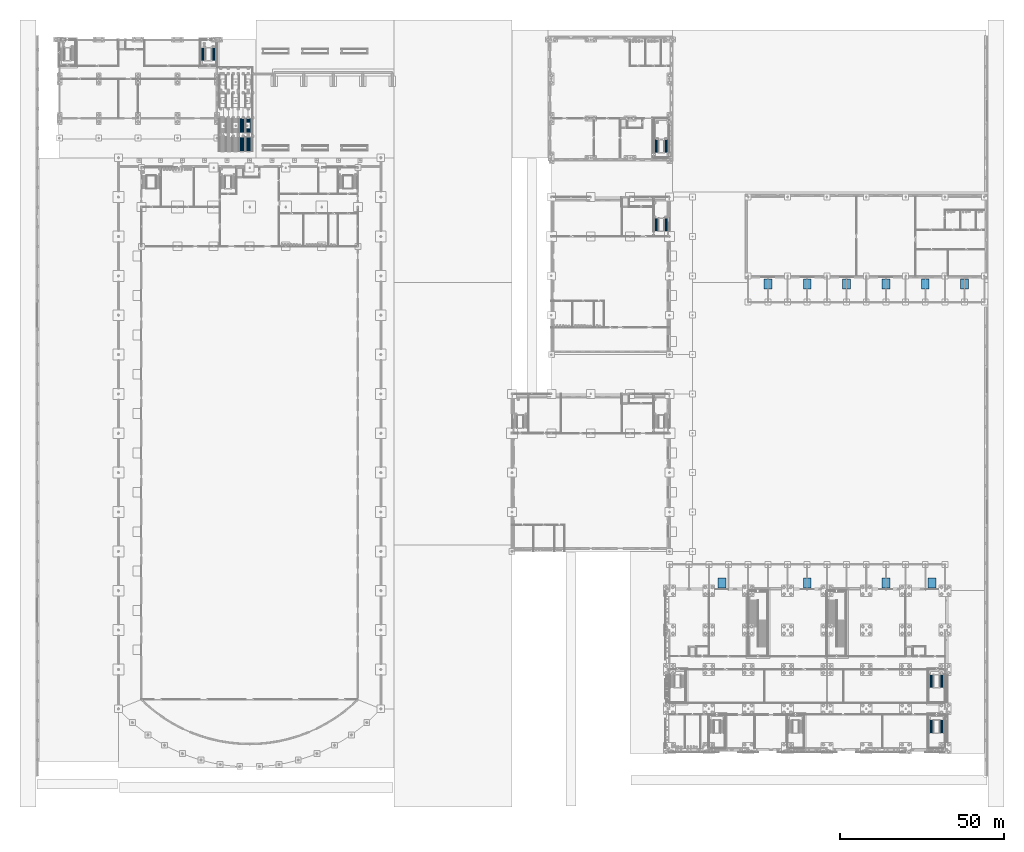
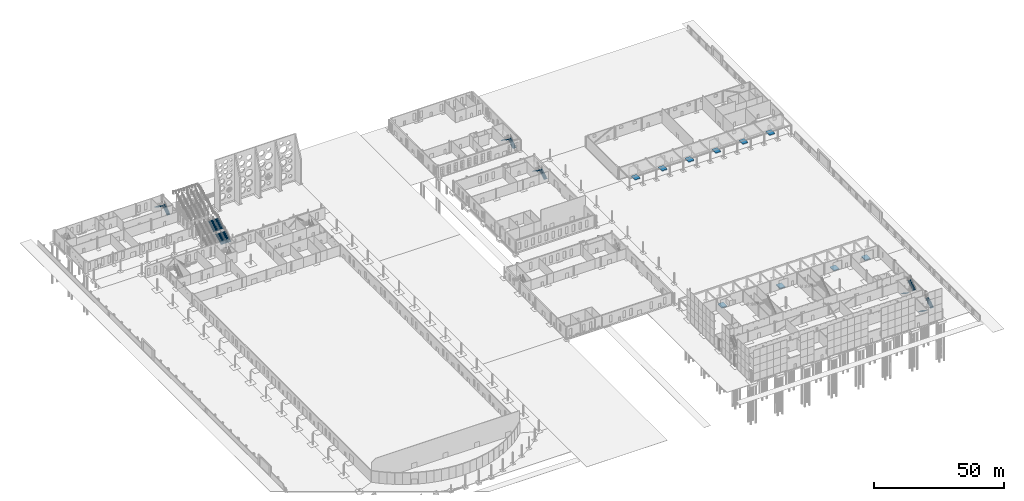
# One storey, part 96 of 132: 16 stair flights, 10 discrete accessories, 8 elements without a shape of their own.
"""IFC4 building model written with IfcOpenShell, lengths in metres."""

from ifc_helpers import new_model, si_unit, direction, frame, origin, origin_2d, place, context, subcontext, project, spatial, polyline, rectangle, outline, extrude, material, type_object, element, aggregate, save


model = new_model("IFC4")

# Units and contexts
model_context = context("Model", 3, precision=1e-05, world=origin(), true_north=direction((0.0, 1.0)))
body_context = subcontext(model_context, "Body", "Model", "MODEL_VIEW")
ifc_project = project(units=[si_unit("LENGTHUNIT", "METRE"), si_unit("AREAUNIT", "SQUARE_METRE"), si_unit("VOLUMEUNIT", "CUBIC_METRE"), si_unit("PLANEANGLEUNIT", "RADIAN"), si_unit("MASSUNIT", "GRAM", prefix="KILO")], contexts=[model_context])

# Site, building, storey
site_placement = place(None, origin())
site = spatial("IfcSite", under=ifc_project, at=site_placement, CompositionType="ELEMENT")
building_placement = place(site_placement, origin())
building = spatial("IfcBuilding", under=site, at=building_placement, Name="Ravi Spectrum Wholesale Market", CompositionType="ELEMENT")
storey_placement = place(building_placement, origin())
storey = spatial("IfcBuildingStorey", under=building, at=storey_placement, Name="L00", CompositionType="ELEMENT", Elevation=0.0)

# Stair, stair flights
ifc_material_1 = material(Name="Concrete C35/45", Category="concrete")
stair_type = type_object("IfcStairType", Name="Stair", PredefinedType="NOTDEFINED", material=ifc_material_1)
stair_1_placement = place(storey_placement, origin())
stair_1 = element("IfcStair", 1, at=stair_1_placement, inside=storey, type_object=stair_type, Name="GW-ST-L00-005", PredefinedType="NOTDEFINED")
ifc_material_2 = material(Name="Concrete C35/45", Category="concrete")
stair_flight_type = type_object("IfcStairFlightType", Name="Stair flight", PredefinedType="STRAIGHT", material=ifc_material_2)
stair_flight_1_placement = place(storey_placement, frame((67.2724609375, 200.0, 0.0), z_axis=(0.0, 0.0, 1.0), x_axis=(0.0, 1.0, 0.0)))
stair_flight_1 = element("IfcStairFlight", 2, at=stair_flight_1_placement, type_object=stair_flight_type, Name="ST-GW5 flight 1", NumberOfRisers=16, NumberOfTreads=15, PredefinedType="STRAIGHT", RiserHeight=0.16875, TreadLength=0.28, context=body_context, shape_type="SweptSolid", body=[
    extrude(outline(polyline([(0.0, 0.0), (0.0, 0.168701171875), (0.280029296875, 0.168701171875), (0.280029296875, 0.33740234375), (0.56005859375, 0.33740234375), (0.56005859375, 0.50634765625), (0.840087890625, 0.50634765625), (0.840087890625, 0.675048828125), (1.1201171875, 0.675048828125), (1.1201171875, 0.84375), (1.39990234375, 0.84375), (1.39990234375, 1.012451171875), (1.679931640625, 1.012451171875), (1.679931640625, 1.18115234375), (1.9599609375, 1.18115234375), (1.9599609375, 1.35009765625), (2.239990234375, 1.35009765625), (2.239990234375, 1.518798828125), (2.52001953125, 1.518798828125), (2.52001953125, 1.6875), (2.800048828125, 1.6875), (2.800048828125, 1.856201171875), (3.080078125, 1.856201171875), (3.080078125, 2.02490234375), (3.360107421875, 2.02490234375), (3.360107421875, 2.19384765625), (3.639892578125, 2.19384765625), (3.639892578125, 2.362548828125), (3.919921875, 2.362548828125), (3.919921875, 2.53125), (4.199951171875, 2.53125), (4.199951171875, 2.699951171875), (4.199951171875, 2.356201171875), (0.29052734375, 0.0), (0.0, 0.0)])), frame((0.0, 0.75244140625, 0.0), z_axis=(0.0, -1.0, 0.0), x_axis=(1.0, 0.0, 0.0)), (0.0, 0.0, 1.0), 1.5048828125),
])
stair_flight_2_placement = place(storey_placement, frame((67.2724609375, 205.699951171875, 2.699951171875), z_axis=(0.0, 0.0, 1.0), x_axis=(0.0, 1.0, 0.0)))
stair_flight_2 = element("IfcStairFlight", 3, at=stair_flight_2_placement, type_object=stair_flight_type, Name="ST-GW5 flight 2", NumberOfRisers=16, NumberOfTreads=15, PredefinedType="STRAIGHT", RiserHeight=0.16875, TreadLength=0.28, context=body_context, shape_type="SweptSolid", body=[
    extrude(outline(polyline([(0.0, 0.0), (0.0, 0.168701171875), (0.280029296875, 0.168701171875), (0.280029296875, 0.33740234375), (0.56005859375, 0.33740234375), (0.56005859375, 0.50634765625), (0.840087890625, 0.50634765625), (0.840087890625, 0.675048828125), (1.1201171875, 0.675048828125), (1.1201171875, 0.84375), (1.39990234375, 0.84375), (1.39990234375, 1.012451171875), (1.679931640625, 1.012451171875), (1.679931640625, 1.18115234375), (1.9599609375, 1.18115234375), (1.9599609375, 1.35009765625), (2.239990234375, 1.35009765625), (2.239990234375, 1.518798828125), (2.52001953125, 1.518798828125), (2.52001953125, 1.6875), (2.800048828125, 1.6875), (2.800048828125, 1.856201171875), (3.080078125, 1.856201171875), (3.080078125, 2.02490234375), (3.360107421875, 2.02490234375), (3.360107421875, 2.19384765625), (3.639892578125, 2.19384765625), (3.639892578125, 2.362548828125), (3.919921875, 2.362548828125), (3.919921875, 2.53125), (4.199951171875, 2.53125), (4.199951171875, 2.699951171875), (4.199951171875, 2.356201171875), (0.29052734375, 0.0), (0.0, 0.0)])), frame((0.0, 0.75244140625, 0.0), z_axis=(0.0, -1.0, 0.0), x_axis=(1.0, 0.0, 0.0)), (0.0, 0.0, 1.0), 1.5048828125),
])
aggregate(stair_1, [stair_flight_1, stair_flight_2])

stair_2_placement = place(storey_placement, origin())
stair_2 = element("IfcStair", 4, at=stair_2_placement, inside=storey, type_object=stair_type, Name="GW-ST-L00-006", PredefinedType="NOTDEFINED")
stair_flight_3_placement = place(storey_placement, frame((68.777587890625, 200.0, 0.0), z_axis=(0.0, 0.0, 1.0), x_axis=(0.0, 1.0, 0.0)))
stair_flight_3 = element("IfcStairFlight", 5, at=stair_flight_3_placement, type_object=stair_flight_type, Name="ST-GW6 flight 1", NumberOfRisers=16, NumberOfTreads=15, PredefinedType="STRAIGHT", RiserHeight=0.16875, TreadLength=0.28, context=body_context, shape_type="SweptSolid", body=[
    extrude(outline(polyline([(0.0, 0.0), (0.0, 0.168701171875), (0.280029296875, 0.168701171875), (0.280029296875, 0.33740234375), (0.56005859375, 0.33740234375), (0.56005859375, 0.50634765625), (0.840087890625, 0.50634765625), (0.840087890625, 0.675048828125), (1.1201171875, 0.675048828125), (1.1201171875, 0.84375), (1.39990234375, 0.84375), (1.39990234375, 1.012451171875), (1.679931640625, 1.012451171875), (1.679931640625, 1.18115234375), (1.9599609375, 1.18115234375), (1.9599609375, 1.35009765625), (2.239990234375, 1.35009765625), (2.239990234375, 1.518798828125), (2.52001953125, 1.518798828125), (2.52001953125, 1.6875), (2.800048828125, 1.6875), (2.800048828125, 1.856201171875), (3.080078125, 1.856201171875), (3.080078125, 2.02490234375), (3.360107421875, 2.02490234375), (3.360107421875, 2.19384765625), (3.639892578125, 2.19384765625), (3.639892578125, 2.362548828125), (3.919921875, 2.362548828125), (3.919921875, 2.53125), (4.199951171875, 2.53125), (4.199951171875, 2.699951171875), (4.199951171875, 2.356201171875), (0.29052734375, 0.0), (0.0, 0.0)])), frame((0.0, 0.75244140625, 0.0), z_axis=(0.0, -1.0, 0.0), x_axis=(1.0, 0.0, 0.0)), (0.0, 0.0, 1.0), 1.5048828125),
])
stair_flight_4_placement = place(storey_placement, frame((68.777587890625, 205.699951171875, 2.699951171875), z_axis=(0.0, 0.0, 1.0), x_axis=(0.0, 1.0, 0.0)))
stair_flight_4 = element("IfcStairFlight", 6, at=stair_flight_4_placement, type_object=stair_flight_type, Name="ST-GW6 flight 2", NumberOfRisers=16, NumberOfTreads=15, PredefinedType="STRAIGHT", RiserHeight=0.16875, TreadLength=0.28, context=body_context, shape_type="SweptSolid", body=[
    extrude(outline(polyline([(0.0, 0.0), (0.0, 0.168701171875), (0.280029296875, 0.168701171875), (0.280029296875, 0.33740234375), (0.56005859375, 0.33740234375), (0.56005859375, 0.50634765625), (0.840087890625, 0.50634765625), (0.840087890625, 0.675048828125), (1.1201171875, 0.675048828125), (1.1201171875, 0.84375), (1.39990234375, 0.84375), (1.39990234375, 1.012451171875), (1.679931640625, 1.012451171875), (1.679931640625, 1.18115234375), (1.9599609375, 1.18115234375), (1.9599609375, 1.35009765625), (2.239990234375, 1.35009765625), (2.239990234375, 1.518798828125), (2.52001953125, 1.518798828125), (2.52001953125, 1.6875), (2.800048828125, 1.6875), (2.800048828125, 1.856201171875), (3.080078125, 1.856201171875), (3.080078125, 2.02490234375), (3.360107421875, 2.02490234375), (3.360107421875, 2.19384765625), (3.639892578125, 2.19384765625), (3.639892578125, 2.362548828125), (3.919921875, 2.362548828125), (3.919921875, 2.53125), (4.199951171875, 2.53125), (4.199951171875, 2.699951171875), (4.199951171875, 2.356201171875), (0.29052734375, 0.0), (0.0, 0.0)])), frame((0.0, 0.75244140625, 0.0), z_axis=(0.0, -1.0, 0.0), x_axis=(1.0, 0.0, 0.0)), (0.0, 0.0, 1.0), 1.5048828125),
])
aggregate(stair_2, [stair_flight_3, stair_flight_4])

stair_3_placement = place(storey_placement, origin())
stair_3 = element("IfcStair", 7, at=stair_3_placement, inside=storey, type_object=stair_type, Name="GW-ST-L00-007", PredefinedType="NOTDEFINED")
stair_flight_5_placement = place(storey_placement, frame((70.282470703125, 200.0, 0.0), z_axis=(0.0, 0.0, 1.0), x_axis=(0.0, 1.0, 0.0)))
stair_flight_5 = element("IfcStairFlight", 8, at=stair_flight_5_placement, type_object=stair_flight_type, Name="ST-GW7 flight 1", NumberOfRisers=16, NumberOfTreads=15, PredefinedType="STRAIGHT", RiserHeight=0.16875, TreadLength=0.28, context=body_context, shape_type="SweptSolid", body=[
    extrude(outline(polyline([(0.0, 0.0), (0.0, 0.168701171875), (0.280029296875, 0.168701171875), (0.280029296875, 0.33740234375), (0.56005859375, 0.33740234375), (0.56005859375, 0.50634765625), (0.840087890625, 0.50634765625), (0.840087890625, 0.675048828125), (1.1201171875, 0.675048828125), (1.1201171875, 0.84375), (1.39990234375, 0.84375), (1.39990234375, 1.012451171875), (1.679931640625, 1.012451171875), (1.679931640625, 1.18115234375), (1.9599609375, 1.18115234375), (1.9599609375, 1.35009765625), (2.239990234375, 1.35009765625), (2.239990234375, 1.518798828125), (2.52001953125, 1.518798828125), (2.52001953125, 1.6875), (2.800048828125, 1.6875), (2.800048828125, 1.856201171875), (3.080078125, 1.856201171875), (3.080078125, 2.02490234375), (3.360107421875, 2.02490234375), (3.360107421875, 2.19384765625), (3.639892578125, 2.19384765625), (3.639892578125, 2.362548828125), (3.919921875, 2.362548828125), (3.919921875, 2.53125), (4.199951171875, 2.53125), (4.199951171875, 2.699951171875), (4.199951171875, 2.356201171875), (0.29052734375, 0.0), (0.0, 0.0)])), frame((0.0, 0.75244140625, 0.0), z_axis=(0.0, -1.0, 0.0), x_axis=(1.0, 0.0, 0.0)), (0.0, 0.0, 1.0), 1.5048828125),
])
stair_flight_6_placement = place(storey_placement, frame((70.282470703125, 205.699951171875, 2.699951171875), z_axis=(0.0, 0.0, 1.0), x_axis=(0.0, 1.0, 0.0)))
stair_flight_6 = element("IfcStairFlight", 9, at=stair_flight_6_placement, type_object=stair_flight_type, Name="ST-GW7 flight 2", NumberOfRisers=16, NumberOfTreads=15, PredefinedType="STRAIGHT", RiserHeight=0.16875, TreadLength=0.28, context=body_context, shape_type="SweptSolid", body=[
    extrude(outline(polyline([(0.0, 0.0), (0.0, 0.168701171875), (0.280029296875, 0.168701171875), (0.280029296875, 0.33740234375), (0.56005859375, 0.33740234375), (0.56005859375, 0.50634765625), (0.840087890625, 0.50634765625), (0.840087890625, 0.675048828125), (1.1201171875, 0.675048828125), (1.1201171875, 0.84375), (1.39990234375, 0.84375), (1.39990234375, 1.012451171875), (1.679931640625, 1.012451171875), (1.679931640625, 1.18115234375), (1.9599609375, 1.18115234375), (1.9599609375, 1.35009765625), (2.239990234375, 1.35009765625), (2.239990234375, 1.518798828125), (2.52001953125, 1.518798828125), (2.52001953125, 1.6875), (2.800048828125, 1.6875), (2.800048828125, 1.856201171875), (3.080078125, 1.856201171875), (3.080078125, 2.02490234375), (3.360107421875, 2.02490234375), (3.360107421875, 2.19384765625), (3.639892578125, 2.19384765625), (3.639892578125, 2.362548828125), (3.919921875, 2.362548828125), (3.919921875, 2.53125), (4.199951171875, 2.53125), (4.199951171875, 2.699951171875), (4.199951171875, 2.356201171875), (0.29052734375, 0.0), (0.0, 0.0)])), frame((0.0, 0.75244140625, 0.0), z_axis=(0.0, -1.0, 0.0), x_axis=(1.0, 0.0, 0.0)), (0.0, 0.0, 1.0), 1.5048828125),
])
aggregate(stair_3, [stair_flight_5, stair_flight_6])

stair_4_placement = place(storey_placement, origin())
stair_4 = element("IfcStair", 10, at=stair_4_placement, inside=storey, type_object=stair_type, Name="L00 S-AU-1", PredefinedType="HALF_TURN_STAIR")
stair_flight_7_placement = place(storey_placement, frame((197.14990234375, 199.60009765625, 0.0), z_axis=(0.0, 0.0, 1.0), x_axis=(0.0, 1.0, 0.0)))
stair_flight_7 = element("IfcStairFlight", 11, at=stair_flight_7_placement, type_object=stair_flight_type, Name="S-AU-1 flight 1", NumberOfRisers=15, NumberOfTreads=14, PredefinedType="STRAIGHT", RiserHeight=0.18, TreadLength=0.28, context=body_context, shape_type="SweptSolid", body=[
    extrude(outline(polyline([(0.0, 0.0), (0.0, 0.179931640625), (0.280029296875, 0.179931640625), (0.280029296875, 0.360107421875), (0.56005859375, 0.360107421875), (0.56005859375, 0.5400390625), (0.840087890625, 0.5400390625), (0.840087890625, 0.719970703125), (1.1201171875, 0.719970703125), (1.1201171875, 0.89990234375), (1.39990234375, 0.89990234375), (1.39990234375, 1.080078125), (1.679931640625, 1.080078125), (1.679931640625, 1.260009765625), (1.9599609375, 1.260009765625), (1.9599609375, 1.43994140625), (2.239990234375, 1.43994140625), (2.239990234375, 1.6201171875), (2.52001953125, 1.6201171875), (2.52001953125, 1.800048828125), (2.800048828125, 1.800048828125), (2.800048828125, 1.97998046875), (3.080078125, 1.97998046875), (3.080078125, 2.159912109375), (3.360107421875, 2.159912109375), (3.360107421875, 2.340087890625), (3.639892578125, 2.340087890625), (3.639892578125, 2.52001953125), (3.919921875, 2.52001953125), (3.919921875, 2.699951171875), (3.919921875, 2.341796875), (0.277099609375, 0.0), (0.0, 0.0)])), frame((0.0, 0.75, 0.0), z_axis=(0.0, -1.0, 0.0), x_axis=(1.0, 0.0, 0.0)), (0.0, 0.0, 1.0), 1.5),
])
stair_flight_8_placement = place(storey_placement, frame((194.050048828125, 203.52001953125, 2.699951171875), z_axis=(0.0, 0.0, 1.0), x_axis=(0.0, -1.0, 0.0)))
stair_flight_8 = element("IfcStairFlight", 12, at=stair_flight_8_placement, type_object=stair_flight_type, Name="S-AU-1 flight 2", NumberOfRisers=15, NumberOfTreads=14, PredefinedType="STRAIGHT", RiserHeight=0.18, TreadLength=0.28, context=body_context, shape_type="SweptSolid", body=[
    extrude(outline(polyline([(0.0, 0.0), (0.0, 0.179931640625), (0.280029296875, 0.179931640625), (0.280029296875, 0.360107421875), (0.56005859375, 0.360107421875), (0.56005859375, 0.5400390625), (0.840087890625, 0.5400390625), (0.840087890625, 0.719970703125), (1.1201171875, 0.719970703125), (1.1201171875, 0.89990234375), (1.39990234375, 0.89990234375), (1.39990234375, 1.080078125), (1.679931640625, 1.080078125), (1.679931640625, 1.260009765625), (1.9599609375, 1.260009765625), (1.9599609375, 1.43994140625), (2.239990234375, 1.43994140625), (2.239990234375, 1.6201171875), (2.52001953125, 1.6201171875), (2.52001953125, 1.800048828125), (2.800048828125, 1.800048828125), (2.800048828125, 1.97998046875), (3.080078125, 1.97998046875), (3.080078125, 2.159912109375), (3.360107421875, 2.159912109375), (3.360107421875, 2.340087890625), (3.639892578125, 2.340087890625), (3.639892578125, 2.52001953125), (3.919921875, 2.52001953125), (3.919921875, 2.699951171875), (3.919921875, 2.341796875), (0.277099609375, 0.0), (0.0, 0.0)])), frame((0.0, 0.75, 0.0), z_axis=(0.0, -1.0, 0.0), x_axis=(1.0, 0.0, 0.0)), (0.0, 0.0, 1.0), 1.5),
])
aggregate(stair_4, [stair_flight_7, stair_flight_8])

stair_5_placement = place(storey_placement, origin())
stair_5 = element("IfcStair", 13, at=stair_5_placement, inside=storey, type_object=stair_type, Name="L00 S-H3-1", PredefinedType="HALF_TURN_STAIR")
stair_flight_9_placement = place(storey_placement, frame((197.14990234375, 175.60009765625, 0.0), z_axis=(0.0, 0.0, 1.0), x_axis=(0.0, 1.0, 0.0)))
stair_flight_9 = element("IfcStairFlight", 14, at=stair_flight_9_placement, type_object=stair_flight_type, Name="S-H3-1 flight 1", NumberOfRisers=15, NumberOfTreads=14, PredefinedType="STRAIGHT", RiserHeight=0.18, TreadLength=0.28, context=body_context, shape_type="SweptSolid", body=[
    extrude(outline(polyline([(0.0, 0.0), (0.0, 0.179931640625), (0.280029296875, 0.179931640625), (0.280029296875, 0.360107421875), (0.56005859375, 0.360107421875), (0.56005859375, 0.5400390625), (0.840087890625, 0.5400390625), (0.840087890625, 0.719970703125), (1.1201171875, 0.719970703125), (1.1201171875, 0.89990234375), (1.39990234375, 0.89990234375), (1.39990234375, 1.080078125), (1.679931640625, 1.080078125), (1.679931640625, 1.260009765625), (1.9599609375, 1.260009765625), (1.9599609375, 1.43994140625), (2.239990234375, 1.43994140625), (2.239990234375, 1.6201171875), (2.52001953125, 1.6201171875), (2.52001953125, 1.800048828125), (2.800048828125, 1.800048828125), (2.800048828125, 1.97998046875), (3.080078125, 1.97998046875), (3.080078125, 2.159912109375), (3.360107421875, 2.159912109375), (3.360107421875, 2.340087890625), (3.639892578125, 2.340087890625), (3.639892578125, 2.52001953125), (3.919921875, 2.52001953125), (3.919921875, 2.699951171875), (3.919921875, 2.341796875), (0.277099609375, 0.0), (0.0, 0.0)])), frame((0.0, 0.75, 0.0), z_axis=(0.0, -1.0, 0.0), x_axis=(1.0, 0.0, 0.0)), (0.0, 0.0, 1.0), 1.5),
])
stair_flight_10_placement = place(storey_placement, frame((194.050048828125, 179.52001953125, 2.699951171875), z_axis=(0.0, 0.0, 1.0), x_axis=(0.0, -1.0, 0.0)))
stair_flight_10 = element("IfcStairFlight", 15, at=stair_flight_10_placement, type_object=stair_flight_type, Name="S-H3-1 flight 2", NumberOfRisers=15, NumberOfTreads=14, PredefinedType="STRAIGHT", RiserHeight=0.18, TreadLength=0.28, context=body_context, shape_type="SweptSolid", body=[
    extrude(outline(polyline([(0.0, 0.0), (0.0, 0.179931640625), (0.280029296875, 0.179931640625), (0.280029296875, 0.360107421875), (0.56005859375, 0.360107421875), (0.56005859375, 0.5400390625), (0.840087890625, 0.5400390625), (0.840087890625, 0.719970703125), (1.1201171875, 0.719970703125), (1.1201171875, 0.89990234375), (1.39990234375, 0.89990234375), (1.39990234375, 1.080078125), (1.679931640625, 1.080078125), (1.679931640625, 1.260009765625), (1.9599609375, 1.260009765625), (1.9599609375, 1.43994140625), (2.239990234375, 1.43994140625), (2.239990234375, 1.6201171875), (2.52001953125, 1.6201171875), (2.52001953125, 1.800048828125), (2.800048828125, 1.800048828125), (2.800048828125, 1.97998046875), (3.080078125, 1.97998046875), (3.080078125, 2.159912109375), (3.360107421875, 2.159912109375), (3.360107421875, 2.340087890625), (3.639892578125, 2.340087890625), (3.639892578125, 2.52001953125), (3.919921875, 2.52001953125), (3.919921875, 2.699951171875), (3.919921875, 2.341796875), (0.277099609375, 0.0), (0.0, 0.0)])), frame((0.0, 0.75, 0.0), z_axis=(0.0, -1.0, 0.0), x_axis=(1.0, 0.0, 0.0)), (0.0, 0.0, 1.0), 1.5),
])
aggregate(stair_5, [stair_flight_9, stair_flight_10])

stair_6_placement = place(storey_placement, origin())
stair_6 = element("IfcStair", 16, at=stair_6_placement, inside=storey, type_object=stair_type, Name="L00 S-CS-2", PredefinedType="HALF_TURN_STAIR")
stair_flight_11_placement = place(storey_placement, frame((277.89990234375, 40.35009765625, 0.0), z_axis=(0.0, 0.0, 1.0), x_axis=(0.0, -1.0, 0.0)))
stair_flight_11 = element("IfcStairFlight", 17, at=stair_flight_11_placement, type_object=stair_flight_type, Name="S-CS-2 flight 1", NumberOfRisers=15, NumberOfTreads=14, PredefinedType="STRAIGHT", RiserHeight=0.18, TreadLength=0.28, context=body_context, shape_type="SweptSolid", body=[
    extrude(outline(polyline([(0.0, 0.0), (0.0, 0.179931640625), (0.280029296875, 0.179931640625), (0.280029296875, 0.360107421875), (0.56005859375, 0.360107421875), (0.56005859375, 0.5400390625), (0.840087890625, 0.5400390625), (0.840087890625, 0.719970703125), (1.1201171875, 0.719970703125), (1.1201171875, 0.89990234375), (1.39990234375, 0.89990234375), (1.39990234375, 1.080078125), (1.679931640625, 1.080078125), (1.679931640625, 1.260009765625), (1.9599609375, 1.260009765625), (1.9599609375, 1.43994140625), (2.239990234375, 1.43994140625), (2.239990234375, 1.6201171875), (2.52001953125, 1.6201171875), (2.52001953125, 1.800048828125), (2.800048828125, 1.800048828125), (2.800048828125, 1.97998046875), (3.080078125, 1.97998046875), (3.080078125, 2.159912109375), (3.360107421875, 2.159912109375), (3.360107421875, 2.340087890625), (3.639892578125, 2.340087890625), (3.639892578125, 2.52001953125), (3.919921875, 2.52001953125), (3.919921875, 2.699951171875), (3.919921875, 2.341796875), (0.277099609375, 0.0), (0.0, 0.0)])), frame((0.0, 0.75, 0.0), z_axis=(0.0, -1.0, 0.0), x_axis=(1.0, 0.0, 0.0)), (0.0, 0.0, 1.0), 1.5),
])
stair_flight_12_placement = place(storey_placement, frame((281.10009765625, 36.429931640625, 2.699951171875), z_axis=(0.0, 0.0, 1.0), x_axis=(0.0, 1.0, 0.0)))
stair_flight_12 = element("IfcStairFlight", 18, at=stair_flight_12_placement, type_object=stair_flight_type, Name="S-CS-2 flight 2", NumberOfRisers=15, NumberOfTreads=14, PredefinedType="STRAIGHT", RiserHeight=0.18, TreadLength=0.28, context=body_context, shape_type="SweptSolid", body=[
    extrude(outline(polyline([(0.0, 0.0), (0.0, 0.179931640625), (0.280029296875, 0.179931640625), (0.280029296875, 0.360107421875), (0.56005859375, 0.360107421875), (0.56005859375, 0.5400390625), (0.840087890625, 0.5400390625), (0.840087890625, 0.719970703125), (1.1201171875, 0.719970703125), (1.1201171875, 0.89990234375), (1.39990234375, 0.89990234375), (1.39990234375, 1.080078125), (1.679931640625, 1.080078125), (1.679931640625, 1.260009765625), (1.9599609375, 1.260009765625), (1.9599609375, 1.43994140625), (2.239990234375, 1.43994140625), (2.239990234375, 1.6201171875), (2.52001953125, 1.6201171875), (2.52001953125, 1.800048828125), (2.800048828125, 1.800048828125), (2.800048828125, 1.97998046875), (3.080078125, 1.97998046875), (3.080078125, 2.159912109375), (3.360107421875, 2.159912109375), (3.360107421875, 2.340087890625), (3.639892578125, 2.340087890625), (3.639892578125, 2.52001953125), (3.919921875, 2.52001953125), (3.919921875, 2.699951171875), (3.919921875, 2.341796875), (0.277099609375, 0.0), (0.0, 0.0)])), frame((0.0, 0.75, 0.0), z_axis=(0.0, -1.0, 0.0), x_axis=(1.0, 0.0, 0.0)), (0.0, 0.0, 1.0), 1.5),
])
aggregate(stair_6, [stair_flight_11, stair_flight_12])

stair_7_placement = place(storey_placement, origin())
stair_7 = element("IfcStair", 19, at=stair_7_placement, inside=storey, type_object=stair_type, Name="L00 S-CS-7", PredefinedType="HALF_TURN_STAIR")
stair_flight_13_placement = place(storey_placement, frame((277.89990234375, 26.550048828125, 0.0), z_axis=(0.0, 0.0, 1.0), x_axis=(0.0, -1.0, 0.0)))
stair_flight_13 = element("IfcStairFlight", 20, at=stair_flight_13_placement, type_object=stair_flight_type, Name="S-CS-7 flight 1", NumberOfRisers=15, NumberOfTreads=14, PredefinedType="STRAIGHT", RiserHeight=0.18, TreadLength=0.28, context=body_context, shape_type="SweptSolid", body=[
    extrude(outline(polyline([(0.0, 0.0), (0.0, 0.179931640625), (0.280029296875, 0.179931640625), (0.280029296875, 0.360107421875), (0.56005859375, 0.360107421875), (0.56005859375, 0.5400390625), (0.840087890625, 0.5400390625), (0.840087890625, 0.719970703125), (1.1201171875, 0.719970703125), (1.1201171875, 0.89990234375), (1.39990234375, 0.89990234375), (1.39990234375, 1.080078125), (1.679931640625, 1.080078125), (1.679931640625, 1.260009765625), (1.9599609375, 1.260009765625), (1.9599609375, 1.43994140625), (2.239990234375, 1.43994140625), (2.239990234375, 1.6201171875), (2.52001953125, 1.6201171875), (2.52001953125, 1.800048828125), (2.800048828125, 1.800048828125), (2.800048828125, 1.97998046875), (3.080078125, 1.97998046875), (3.080078125, 2.159912109375), (3.360107421875, 2.159912109375), (3.360107421875, 2.340087890625), (3.639892578125, 2.340087890625), (3.639892578125, 2.52001953125), (3.919921875, 2.52001953125), (3.919921875, 2.699951171875), (3.919921875, 2.341796875), (0.277099609375, 0.0), (0.0, 0.0)])), frame((0.0, 0.75, 0.0), z_axis=(0.0, -1.0, 0.0), x_axis=(1.0, 0.0, 0.0)), (0.0, 0.0, 1.0), 1.5),
])
stair_flight_14_placement = place(storey_placement, frame((281.10009765625, 22.6298828125, 2.699951171875), z_axis=(0.0, 0.0, 1.0), x_axis=(0.0, 1.0, 0.0)))
stair_flight_14 = element("IfcStairFlight", 21, at=stair_flight_14_placement, type_object=stair_flight_type, Name="S-CS-7 flight 2", NumberOfRisers=15, NumberOfTreads=14, PredefinedType="STRAIGHT", RiserHeight=0.18, TreadLength=0.28, context=body_context, shape_type="SweptSolid", body=[
    extrude(outline(polyline([(0.0, 0.0), (0.0, 0.179931640625), (0.280029296875, 0.179931640625), (0.280029296875, 0.360107421875), (0.56005859375, 0.360107421875), (0.56005859375, 0.5400390625), (0.840087890625, 0.5400390625), (0.840087890625, 0.719970703125), (1.1201171875, 0.719970703125), (1.1201171875, 0.89990234375), (1.39990234375, 0.89990234375), (1.39990234375, 1.080078125), (1.679931640625, 1.080078125), (1.679931640625, 1.260009765625), (1.9599609375, 1.260009765625), (1.9599609375, 1.43994140625), (2.239990234375, 1.43994140625), (2.239990234375, 1.6201171875), (2.52001953125, 1.6201171875), (2.52001953125, 1.800048828125), (2.800048828125, 1.800048828125), (2.800048828125, 1.97998046875), (3.080078125, 1.97998046875), (3.080078125, 2.159912109375), (3.360107421875, 2.159912109375), (3.360107421875, 2.340087890625), (3.639892578125, 2.340087890625), (3.639892578125, 2.52001953125), (3.919921875, 2.52001953125), (3.919921875, 2.699951171875), (3.919921875, 2.341796875), (0.277099609375, 0.0), (0.0, 0.0)])), frame((0.0, 0.75, 0.0), z_axis=(0.0, -1.0, 0.0), x_axis=(1.0, 0.0, 0.0)), (0.0, 0.0, 1.0), 1.5),
])
aggregate(stair_7, [stair_flight_13, stair_flight_14])

stair_8_placement = place(storey_placement, origin())
stair_8 = element("IfcStair", 22, at=stair_8_placement, inside=storey, type_object=stair_type, Name="L00 S-OF-2", PredefinedType="HALF_TURN_STAIR")
stair_flight_15_placement = place(storey_placement, frame((59.14990234375, 227.60009765625, 0.0), z_axis=(0.0, 0.0, 1.0), x_axis=(0.0, 1.0, 0.0)))
stair_flight_15 = element("IfcStairFlight", 23, at=stair_flight_15_placement, type_object=stair_flight_type, Name="S-OF-2 flight 1", NumberOfRisers=15, NumberOfTreads=14, PredefinedType="STRAIGHT", RiserHeight=0.18, TreadLength=0.28, context=body_context, shape_type="SweptSolid", body=[
    extrude(outline(polyline([(0.0, 0.0), (0.0, 0.179931640625), (0.280029296875, 0.179931640625), (0.280029296875, 0.360107421875), (0.56005859375, 0.360107421875), (0.56005859375, 0.5400390625), (0.840087890625, 0.5400390625), (0.840087890625, 0.719970703125), (1.1201171875, 0.719970703125), (1.1201171875, 0.89990234375), (1.39990234375, 0.89990234375), (1.39990234375, 1.080078125), (1.679931640625, 1.080078125), (1.679931640625, 1.260009765625), (1.9599609375, 1.260009765625), (1.9599609375, 1.43994140625), (2.239990234375, 1.43994140625), (2.239990234375, 1.6201171875), (2.52001953125, 1.6201171875), (2.52001953125, 1.800048828125), (2.800048828125, 1.800048828125), (2.800048828125, 1.97998046875), (3.080078125, 1.97998046875), (3.080078125, 2.159912109375), (3.360107421875, 2.159912109375), (3.360107421875, 2.340087890625), (3.639892578125, 2.340087890625), (3.639892578125, 2.52001953125), (3.919921875, 2.52001953125), (3.919921875, 2.699951171875), (3.919921875, 2.341796875), (0.277099609375, 0.0), (0.0, 0.0)])), frame((0.0, 0.75, 0.0), z_axis=(0.0, -1.0, 0.0), x_axis=(1.0, 0.0, 0.0)), (0.0, 0.0, 1.0), 1.5),
])
stair_flight_16_placement = place(storey_placement, frame((55.85009765625, 231.52001953125, 2.699951171875), z_axis=(0.0, 0.0, 1.0), x_axis=(0.0, -1.0, 0.0)))
stair_flight_16 = element("IfcStairFlight", 24, at=stair_flight_16_placement, type_object=stair_flight_type, Name="S-OF-2 flight 2", NumberOfRisers=15, NumberOfTreads=14, PredefinedType="STRAIGHT", RiserHeight=0.18, TreadLength=0.28, context=body_context, shape_type="SweptSolid", body=[
    extrude(outline(polyline([(0.0, 0.0), (0.0, 0.179931640625), (0.280029296875, 0.179931640625), (0.280029296875, 0.360107421875), (0.56005859375, 0.360107421875), (0.56005859375, 0.5400390625), (0.840087890625, 0.5400390625), (0.840087890625, 0.719970703125), (1.1201171875, 0.719970703125), (1.1201171875, 0.89990234375), (1.39990234375, 0.89990234375), (1.39990234375, 1.080078125), (1.679931640625, 1.080078125), (1.679931640625, 1.260009765625), (1.9599609375, 1.260009765625), (1.9599609375, 1.43994140625), (2.239990234375, 1.43994140625), (2.239990234375, 1.6201171875), (2.52001953125, 1.6201171875), (2.52001953125, 1.800048828125), (2.800048828125, 1.800048828125), (2.800048828125, 1.97998046875), (3.080078125, 1.97998046875), (3.080078125, 2.159912109375), (3.360107421875, 2.159912109375), (3.360107421875, 2.340087890625), (3.639892578125, 2.340087890625), (3.639892578125, 2.52001953125), (3.919921875, 2.52001953125), (3.919921875, 2.699951171875), (3.919921875, 2.341796875), (0.277099609375, 0.0), (0.0, 0.0)])), frame((0.0, 0.75, 0.0), z_axis=(0.0, -1.0, 0.0), x_axis=(1.0, 0.0, 0.0)), (0.0, 0.0, 1.0), 1.5),
])
aggregate(stair_8, [stair_flight_15, stair_flight_16])

# Discrete accessories
ifc_material_3 = material(Name="Steel S355", Category="steel")
discrete_accessory_type = type_object("IfcDiscreteAccessoryType", Name="Dock leveller 2400 x 3000", PredefinedType="BRACKET", material=ifc_material_3)
for number, where, z_axis, x_axis, name in (
    (25, (278.0, 68.39990234375, -0.4501953125), (0.0, 0.0, 1.0), (1.0, 0.0, 0.0), "Dock leveller"),
    (26, (264.0, 68.39990234375, -0.4501953125), (0.0, 0.0, 1.0), (1.0, 0.0, 0.0), "Dock leveller"),
    (27, (240.0, 68.39990234375, -0.4501953125), (0.0, 0.0, 1.0), (1.0, 0.0, 0.0), "Dock leveller"),
    (28, (214.0, 68.39990234375, -0.4501953125), (0.0, 0.0, 1.0), (1.0, 0.0, 0.0), "Dock leveller"),
    (29, (228.0, 159.56005859375, -0.4501953125), (0.0, 0.0, 1.0), (1.0, 0.0, 0.0), "Dock leveller"),
    (30, (240.0, 159.56005859375, -0.4501953125), (0.0, 0.0, 1.0), (1.0, 0.0, 0.0), "Dock leveller"),
    (31, (252.0, 159.56005859375, -0.4501953125), (0.0, 0.0, 1.0), (1.0, 0.0, 0.0), "Dock leveller"),
    (32, (264.0, 159.56005859375, -0.4501953125), (0.0, 0.0, 1.0), (1.0, 0.0, 0.0), "Dock leveller"),
    (33, (276.0, 159.56005859375, -0.4501953125), (0.0, 0.0, 1.0), (1.0, 0.0, 0.0), "Dock leveller"),
    (34, (288.0, 159.56005859375, -0.4501953125), (0.0, 0.0, 1.0), (1.0, 0.0, 0.0), "Dock leveller"),
):
    element("IfcDiscreteAccessory", number, at=place(storey_placement, frame(where, z_axis=z_axis, x_axis=x_axis)), inside=storey, type_object=discrete_accessory_type, Name=name, PredefinedType="BRACKET", context=body_context, shape_type="SweptSolid", body=[
        extrude(rectangle(XDim=2.39990234375, YDim=3.0, at=origin_2d()), origin(), (0.0, 0.0, 1.0), 0.449951171875),
    ])

save(model, "model.ifc")
